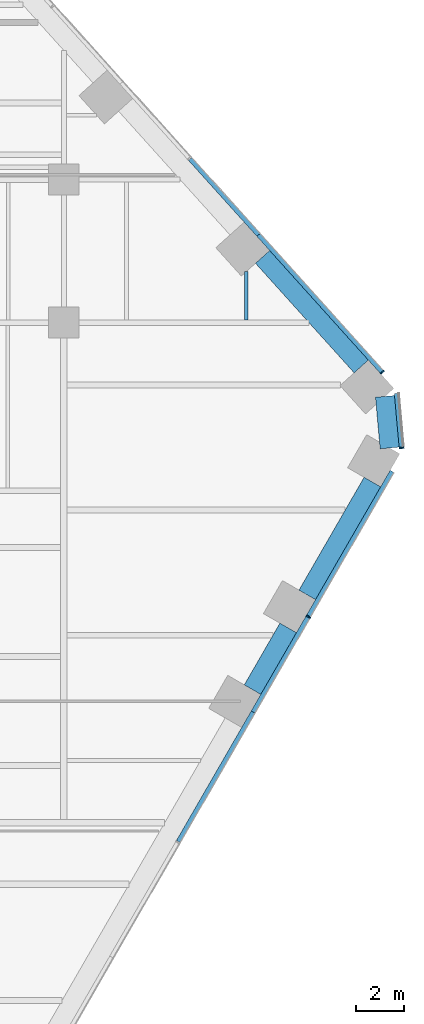
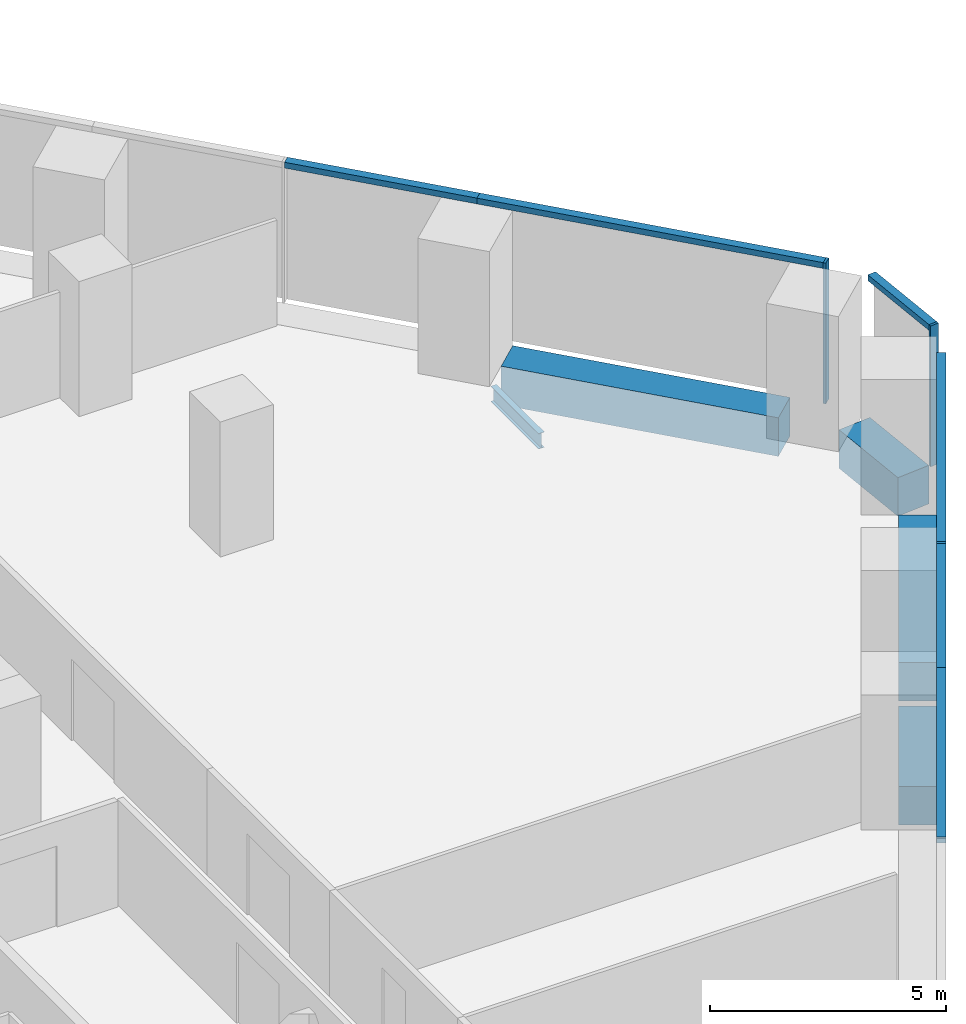
# One storey, part 11 of 21: 9 members, 5 beams, 3 elements without a shape of their own.
"""IFC4 building model written with IfcOpenShell, lengths in metres."""

from ifc_helpers import new_model, si_unit, direction, frame, origin, origin_2d, place, context, subcontext, project, spatial, rectangle, i_section, extrude, material, layer, layer_set, material_profile, profile_set, type_object, element, aggregate, save


model = new_model("IFC4")

# Units and contexts
model_context = context("Model", 3, precision=1e-05, world=origin(), true_north=direction((0.0, 1.0)))
body_context = subcontext(model_context, "Body", "Model", "MODEL_VIEW")
ifc_project = project(units=[si_unit("LENGTHUNIT", "METRE"), si_unit("AREAUNIT", "SQUARE_METRE"), si_unit("VOLUMEUNIT", "CUBIC_METRE"), si_unit("PLANEANGLEUNIT", "RADIAN"), si_unit("MASSUNIT", "GRAM", prefix="KILO")], contexts=[model_context])

# Site, building, storey
site_placement = place(None, origin())
site = spatial("IfcSite", under=ifc_project, at=site_placement, CompositionType="ELEMENT")
building_placement = place(site_placement, origin())
building = spatial("IfcBuilding", under=site, at=building_placement, Name="Isthmus Gate Tower", CompositionType="ELEMENT")
storey_placement = place(building_placement, frame((0.0, 0.0, 106.199951171875)))
storey = spatial("IfcBuildingStorey", under=building, at=storey_placement, Name="L25", CompositionType="ELEMENT", Elevation=106.199951171875)

# Curtain wall, member
ifc_material_1 = material(Name="Aluminium, pale champagne anodised", Category="aluminium")
ifc_layer = layer(ifc_material_1, 0.199951171875)
ifc_layer_set = layer_set([ifc_layer], Name="CW-1 UNITISED CURTAIN WALL 200 DEEP")
curtain_wall_type = type_object("IfcCurtainWallType", Name="CW-1 UNITISED CURTAIN WALL 200 DEEP", PredefinedType="NOTDEFINED", material=ifc_layer_set)
curtain_wall_1_placement = place(storey_placement, origin())
curtain_wall_1 = element("IfcCurtainWall", 1, at=curtain_wall_1_placement, inside=storey, type_object=curtain_wall_type, Name="CW-1 SE L25", PredefinedType="NOTDEFINED")
ifc_material_2 = material(Name="Aluminium, pale champagne anodised", Category="aluminium")
ifc_material_profile_1 = material_profile(ifc_material_2, rectangle(XDim=0.06005859375, YDim=0.199951171875, at=origin_2d()), Name="60x200")
ifc_profile_set_1 = profile_set([ifc_material_profile_1], Name="Aluminium, pale champagne anodised")
member_type_1 = type_object("IfcMemberType", Name="CW-1 MULLION 60 X 200", PredefinedType="MULLION", material=ifc_profile_set_1)
member_1_placement = place(storey_placement, frame((34.267822265625, -4.846435546875, 0.0), z_axis=(0.0, 0.0, 1.0), x_axis=(0.5, 0.866025403784, 0.0)))
member_1 = element("IfcMember", 2, at=member_1_placement, type_object=member_type_1, Name="CW-1 mullion", PredefinedType="MULLION", context=body_context, shape_type="SweptSolid", body=[
    extrude(rectangle(XDim=0.06005859375, YDim=0.199951171875, at=origin_2d()), origin(), (0.0, 0.0, 1.0), 3.650146484375),
])

curtain_wall_2_placement = place(storey_placement, origin())
curtain_wall_2 = element("IfcCurtainWall", 3, at=curtain_wall_2_placement, inside=storey, type_object=curtain_wall_type, Name="CW-1 SE-NE L25", PredefinedType="NOTDEFINED")
member_2_placement = place(storey_placement, frame((38.178955078125, 2.24169921875, 0.0), z_axis=(0.0, 0.0, 1.0), x_axis=(-0.089396669717, 0.995996102123, 0.0)))
member_2 = element("IfcMember", 4, at=member_2_placement, type_object=member_type_1, Name="CW-1 mullion", PredefinedType="MULLION", context=body_context, shape_type="SweptSolid", body=[
    extrude(rectangle(XDim=0.06005859375, YDim=0.199951171875, at=origin_2d()), origin(), (0.0, 0.0, 1.0), 3.650146484375),
])

curtain_wall_3_placement = place(storey_placement, origin())
curtain_wall_3 = element("IfcCurtainWall", 5, at=curtain_wall_3_placement, inside=storey, type_object=curtain_wall_type, Name="CW-1 NE L25", PredefinedType="NOTDEFINED")
member_3_placement = place(storey_placement, frame((37.37353515625, 5.419921875, 0.0), z_axis=(0.0, 0.0, 1.0), x_axis=(-0.669130606359, 0.743144825477, 0.0)))
member_3 = element("IfcMember", 6, at=member_3_placement, type_object=member_type_1, Name="CW-1 mullion", PredefinedType="MULLION", context=body_context, shape_type="SweptSolid", body=[
    extrude(rectangle(XDim=0.06005859375, YDim=0.199951171875, at=origin_2d()), origin(), (0.0, 0.0, 1.0), 3.650146484375),
])

# Member
ifc_material_3 = material(Name="Aluminium, pale champagne anodised", Category="aluminium")
ifc_material_profile_2 = material_profile(ifc_material_3, rectangle(XDim=0.199951171875, YDim=0.14990234375, at=origin_2d()), Name="200x150")
ifc_profile_set_2 = profile_set([ifc_material_profile_2], Name="Aluminium, pale champagne anodised")
member_type_2 = type_object("IfcMemberType", Name="CW-1 TRANSOM 200 X 150", PredefinedType="USERDEFINED", material=ifc_profile_set_2)
member_4_placement = place(storey_placement, frame((28.817138671875, -14.287353515625, 3.574951171875), z_axis=(0.499995104884, 0.866028229963, 0.0), x_axis=(-0.866028229963, 0.499995104884, 0.0)))
member_4 = element("IfcMember", 7, at=member_4_placement, type_object=member_type_2, Name="CW-1 transom", ObjectType="TRANSOM", PredefinedType="USERDEFINED", context=body_context, shape_type="SweptSolid", body=[
    extrude(rectangle(XDim=0.199951171875, YDim=0.14990234375, at=origin_2d()), origin(), (0.0, 0.0, 1.0), 6.2783203125),
])

member_5_placement = place(storey_placement, frame((31.956298828125, -8.85009765625, 3.574951171875), z_axis=(0.499992401796, 0.866029790565, 0.0), x_axis=(-0.866029790565, 0.499992401796, 0.0)))
member_5 = element("IfcMember", 8, at=member_5_placement, type_object=member_type_2, Name="CW-1 transom", ObjectType="TRANSOM", PredefinedType="USERDEFINED", context=body_context, shape_type="SweptSolid", body=[
    extrude(rectangle(XDim=0.199951171875, YDim=0.14990234375, at=origin_2d()), origin(), (0.0, 0.0, 1.0), 4.5927734375),
])

member_6_placement = place(storey_placement, frame((34.28271484375, -4.820556640625, 3.574951171875), z_axis=(0.500004847053, 0.866022605319, 0.0), x_axis=(-0.866022605319, 0.500004847053, 0.0)))
member_6 = element("IfcMember", 9, at=member_6_placement, type_object=member_type_2, Name="CW-1 transom", ObjectType="TRANSOM", PredefinedType="USERDEFINED", context=body_context, shape_type="SweptSolid", body=[
    extrude(rectangle(XDim=0.199951171875, YDim=0.14990234375, at=origin_2d()), origin(), (0.0, 0.0, 1.0), 7.009765625),
])

aggregate(curtain_wall_1, [member_4, member_5, member_1, member_6])

member_7_placement = place(storey_placement, frame((38.17626953125, 2.271728515625, 3.574951171875), z_axis=(-0.089395362867, 0.995996219419, 0.0), x_axis=(-0.995996219419, -0.089395362867, 0.0)))
member_7 = element("IfcMember", 10, at=member_7_placement, type_object=member_type_2, Name="CW-1 transom", ObjectType="TRANSOM", PredefinedType="USERDEFINED", context=body_context, shape_type="SweptSolid", body=[
    extrude(rectangle(XDim=0.199951171875, YDim=0.14990234375, at=origin_2d()), origin(), (0.0, 0.0, 1.0), 2.258544921875),
])

aggregate(curtain_wall_2, [member_2, member_7])

member_8_placement = place(storey_placement, frame((37.353515625, 5.4423828125, 3.574951171875), z_axis=(-0.669133991403, 0.743141777556, 0.0), x_axis=(-0.743141777556, -0.669133991403, 0.0)))
member_8 = element("IfcMember", 11, at=member_8_placement, type_object=member_type_2, Name="CW-1 transom", ObjectType="TRANSOM", PredefinedType="USERDEFINED", context=body_context, shape_type="SweptSolid", body=[
    extrude(rectangle(XDim=0.199951171875, YDim=0.14990234375, at=origin_2d()), origin(), (0.0, 0.0, 1.0), 7.729248046875),
])

member_9_placement = place(storey_placement, frame((32.181640625, 11.186279296875, 3.574951171875), z_axis=(-0.669131169216, 0.743144318678, 0.0), x_axis=(-0.743144318678, -0.669131169216, 0.0)))
member_9 = element("IfcMember", 12, at=member_9_placement, type_object=member_type_2, Name="CW-1 transom", ObjectType="TRANSOM", PredefinedType="USERDEFINED", context=body_context, shape_type="SweptSolid", body=[
    extrude(rectangle(XDim=0.199951171875, YDim=0.14990234375, at=origin_2d()), origin(), (0.0, 0.0, 1.0), 4.294677734375),
])

aggregate(curtain_wall_3, [member_3, member_8, member_9])

# Beams
ifc_material_4 = material(Name="Concrete f'c 70 MPa", Category="concrete")
ifc_material_profile_3 = material_profile(ifc_material_4, rectangle(XDim=0.800048828125, YDim=1.0, at=origin_2d()), Name="RC 800X1000")
ifc_profile_set_3 = profile_set([ifc_material_profile_3], Name="Concrete f'c 70 MPa")
beam_type_1 = type_object("IfcBeamType", Name="RC SPANDREL 800 X 1000", PredefinedType="SPANDREL", material=ifc_profile_set_3)
beam_1_placement = place(storey_placement, frame((32.34521484375, 10.25732421875, -0.5), z_axis=(0.669139054219, -0.743137218903, 0.0), x_axis=(0.743137218903, 0.669139054219, 0.0)))
element("IfcBeam", 13, at=beam_1_placement, inside=storey, type_object=beam_type_1, Name="str-spandrel-L25-04", PredefinedType="SPANDREL", context=body_context, shape_type="SweptSolid", body=[
    extrude(rectangle(XDim=0.800048828125, YDim=1.0, at=origin_2d()), origin(), (0.0, 0.0, 1.0), 6.189453125),
])
beam_2_placement = place(storey_placement, frame((37.483154296875, 4.40185546875, -0.5), z_axis=(0.089421511639, -0.995993872098, 0.0), x_axis=(0.995993872098, 0.089421511639, 0.0)))
element("IfcBeam", 14, at=beam_2_placement, inside=storey, type_object=beam_type_1, Name="str-spandrel-L25-05", PredefinedType="SPANDREL", context=body_context, shape_type="SweptSolid", body=[
    extrude(rectangle(XDim=0.800048828125, YDim=1.0, at=origin_2d()), origin(), (0.0, 0.0, 1.0), 2.17333984375),
])
beam_3_placement = place(storey_placement, frame((36.95458984375, 0.80712890625, -0.5), z_axis=(-0.500008371742, -0.866020570303, 0.0), x_axis=(0.866020570303, -0.500008371742, 0.0)))
element("IfcBeam", 15, at=beam_3_placement, inside=storey, type_object=beam_type_1, Name="str-spandrel-L25-06", PredefinedType="SPANDREL", context=body_context, shape_type="SweptSolid", body=[
    extrude(rectangle(XDim=0.800048828125, YDim=1.0, at=origin_2d()), origin(), (0.0, 0.0, 1.0), 5.4697265625),
])
beam_4_placement = place(storey_placement, frame((33.419677734375, -5.315185546875, -0.5), z_axis=(-0.499955472713, -0.866051110099, 0.0), x_axis=(0.866051110099, -0.499955472713, 0.0)))
element("IfcBeam", 16, at=beam_4_placement, inside=storey, type_object=beam_type_1, Name="str-spandrel-L25-07", PredefinedType="SPANDREL", context=body_context, shape_type="SweptSolid", body=[
    extrude(rectangle(XDim=0.800048828125, YDim=1.0, at=origin_2d()), origin(), (0.0, 0.0, 1.0), 2.992919921875),
])
ifc_material_5 = material(Name="Structural steel ASTM A992 Gr 50", Category="steel")
ifc_material_profile_4 = material_profile(ifc_material_5, i_section(OverallWidth=0.1396484375, OverallDepth=0.4033203125, WebThickness=0.00634765625, FlangeThickness=0.010986328125, at=origin_2d()), Name="W16X31")
ifc_profile_set_4 = profile_set([ifc_material_profile_4], Name="Structural steel ASTM A992 Gr 50")
beam_type_2 = type_object("IfcBeamType", Name="STEEL FLOOR BEAM W16X31", PredefinedType="JOIST", material=ifc_profile_set_4)
beam_5_placement = place(storey_placement, frame((31.666259765625, 7.6142578125, -0.3515625), z_axis=(0.0, 1.0, 0.0), x_axis=(-1.0, 0.0, 0.0)))
element("IfcBeam", 17, at=beam_5_placement, inside=storey, type_object=beam_type_2, Name="str-beam-L25-33-01", PredefinedType="JOIST", context=body_context, shape_type="SweptSolid", body=[
    extrude(i_section(OverallWidth=0.1396484375, OverallDepth=0.4033203125, WebThickness=0.00634765625, FlangeThickness=0.010986328125, at=origin_2d()), origin(), (0.0, 0.0, 1.0), 2.03173828125),
])

save(model, "model.ifc")
